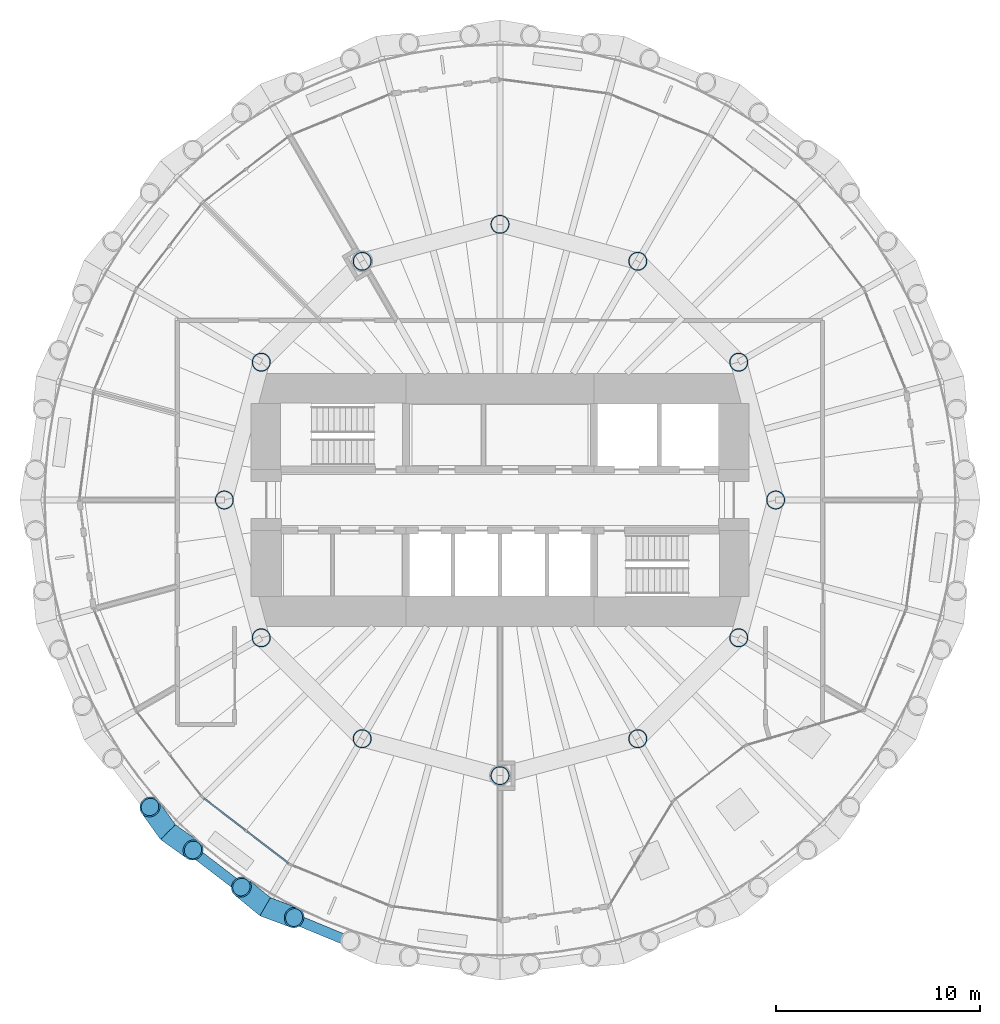
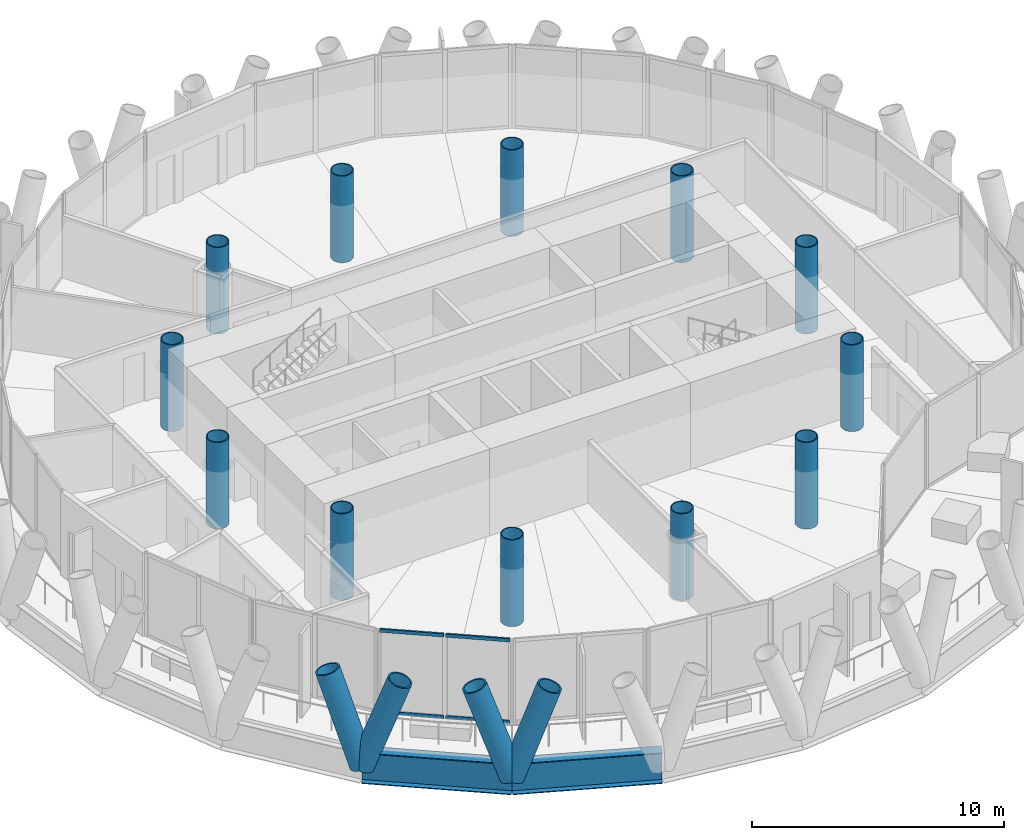
# One storey, part 1 of 14: 12 columns, 8 members, 2 beams, 1 element without a shape of its own.
"""IFC4 building model written with IfcOpenShell, lengths in metres."""

from ifc_helpers import new_model, si_unit, direction, frame, origin, origin_2d, place, context, subcontext, project, spatial, rectangle, hollow_circle, i_section, extrude, material, material_profile, profile_set, type_object, element, aggregate, save


model = new_model("IFC4")

# Units and contexts
model_context = context("Model", 3, precision=1e-05, world=origin(), true_north=direction((0.0, 1.0)))
body_context = subcontext(model_context, "Body", "Model", "MODEL_VIEW")
ifc_project = project(units=[si_unit("LENGTHUNIT", "METRE"), si_unit("AREAUNIT", "SQUARE_METRE"), si_unit("VOLUMEUNIT", "CUBIC_METRE"), si_unit("PLANEANGLEUNIT", "RADIAN"), si_unit("MASSUNIT", "GRAM", prefix="KILO")], contexts=[model_context])

# Site, building, storey
site_placement = place(None, origin())
site = spatial("IfcSite", under=ifc_project, at=site_placement, CompositionType="ELEMENT")
building_placement = place(site_placement, origin())
building = spatial("IfcBuilding", under=site, at=building_placement, Name="Qaws Media Tower", CompositionType="ELEMENT")
storey_placement = place(building_placement, frame((0.0, 0.0, 210.800048828125)))
storey = spatial("IfcBuildingStorey", under=building, at=storey_placement, Name="L48", CompositionType="ELEMENT", Elevation=210.800048828125)

# Columns
ifc_material_1 = material(Name="Steel S460", Category="steel")
ifc_material_profile_1 = material_profile(ifc_material_1, hollow_circle(Radius=0.45703125, WallThickness=0.044921875, at=origin_2d()), Name="CHS 914x45")
ifc_profile_set_1 = profile_set([ifc_material_profile_1], Name="Steel S460")
column_type = type_object("IfcColumnType", Name="Inner column CHS 914x45", PredefinedType="COLUMN", material=ifc_profile_set_1)
for number, where, z_axis, x_axis, name in (
    (1, (73.5, 50.0, 0.0), (0.0, 0.0, 1.0), (1.0, 0.0, 0.0), "C3 inner column I01 L48"),
    (2, (71.69140625, 56.75, 0.0), (0.0, 0.0, 1.0), (1.0, 0.0, 0.0), "C3 inner column I02 L48"),
    (3, (66.75, 61.69140625, 0.0), (0.0, 0.0, 1.0), (1.0, 0.0, 0.0), "C3 inner column I03 L48"),
    (4, (60.0, 63.5, 0.0), (0.0, 0.0, 1.0), (1.0, 0.0, 0.0), "C3 inner column I04 L48"),
    (5, (53.25, 61.69140625, 0.0), (0.0, 0.0, 1.0), (1.0, 0.0, 0.0), "C3 inner column I05 L48"),
    (6, (48.30859375, 56.75, 0.0), (0.0, 0.0, 1.0), (1.0, 0.0, 0.0), "C3 inner column I06 L48"),
    (7, (46.5, 50.0, 0.0), (0.0, 0.0, 1.0), (1.0, 0.0, 0.0), "C3 inner column I07 L48"),
    (8, (48.30859375, 43.25, 0.0), (0.0, 0.0, 1.0), (1.0, 0.0, 0.0), "C3 inner column I08 L48"),
    (9, (53.25, 38.30859375, 0.0), (0.0, 0.0, 1.0), (1.0, 0.0, 0.0), "C3 inner column I09 L48"),
    (10, (60.0, 36.5, 0.0), (0.0, 0.0, 1.0), (1.0, 0.0, 0.0), "C3 inner column I10 L48"),
    (11, (66.75, 38.30859375, 0.0), (0.0, 0.0, 1.0), (1.0, 0.0, 0.0), "C3 inner column I11 L48"),
    (12, (71.69140625, 43.25, 0.0), (0.0, 0.0, 1.0), (1.0, 0.0, 0.0), "C3 inner column I12 L48"),
):
    element("IfcColumn", number, at=place(storey_placement, frame(where, z_axis=z_axis, x_axis=x_axis)), inside=storey, type_object=column_type, Name=name, PredefinedType="COLUMN", context=body_context, shape_type="SweptSolid", body=[
        extrude(hollow_circle(Radius=0.45703125, WallThickness=0.044921875, at=origin_2d()), origin(), (0.0, 0.0, 1.0), 4.199951171875),
    ])

# Curtain wall, members
ifc_material_2 = material(Name="Aluminium and clear glass", Category="aluminium")
curtain_wall_type = type_object("IfcCurtainWallType", Name="Unitised curtain wall CW-C", PredefinedType="NOTDEFINED", material=ifc_material_2)
curtain_wall_placement = place(storey_placement, origin())
curtain_wall = element("IfcCurtainWall", 13, at=curtain_wall_placement, inside=storey, type_object=curtain_wall_type, Name="CWC curtain wall L48-16", PredefinedType="NOTDEFINED")
ifc_material_3 = material(Name="Aluminium transom", Category="aluminium")
ifc_material_profile_2 = material_profile(ifc_material_3, rectangle(XDim=0.080078125, YDim=0.159912109375, at=origin_2d()), Name="80x160")
ifc_profile_set_2 = profile_set([ifc_material_profile_2], Name="Aluminium transom")
member_type_1 = type_object("IfcMemberType", Name="Curtain wall transom 80x160", PredefinedType="USERDEFINED", material=ifc_profile_set_2)
member_1_placement = place(storey_placement, frame((45.4970703125, 35.385009765625, 0.0400390625), z_axis=(0.793337078322, -0.608782621434, 0.0), x_axis=(0.608782621434, 0.793337078322, 0.0)))
member_1 = element("IfcMember", 14, at=member_1_placement, type_object=member_type_1, Name="CWC transom 1.1", ObjectType="TRANSOM", PredefinedType="USERDEFINED", context=body_context, shape_type="SweptSolid", body=[
    extrude(rectangle(XDim=0.080078125, YDim=0.159912109375, at=origin_2d()), origin(), (0.0, 0.0, 1.0), 2.569091796875),
])
member_2_placement = place(storey_placement, frame((45.4970703125, 35.385009765625, 4.0), z_axis=(0.793337078322, -0.608782621434, 0.0), x_axis=(0.608782621434, 0.793337078322, 0.0)))
member_2 = element("IfcMember", 15, at=member_2_placement, type_object=member_type_1, Name="CWC transom 1.2", ObjectType="TRANSOM", PredefinedType="USERDEFINED", context=body_context, shape_type="SweptSolid", body=[
    extrude(rectangle(XDim=0.080078125, YDim=0.159912109375, at=origin_2d()), origin(), (0.0, 0.0, 1.0), 2.569091796875),
])
member_3_placement = place(storey_placement, frame((47.5986328125, 33.7724609375, 0.0400390625), z_axis=(0.793301853491, -0.608828522039, 0.0), x_axis=(0.608828522039, 0.793301853491, 0.0)))
member_3 = element("IfcMember", 16, at=member_3_placement, type_object=member_type_1, Name="CWC transom 2.1", ObjectType="TRANSOM", PredefinedType="USERDEFINED", context=body_context, shape_type="SweptSolid", body=[
    extrude(rectangle(XDim=0.080078125, YDim=0.159912109375, at=origin_2d()), origin(), (0.0, 0.0, 1.0), 2.56884765625),
])
member_4_placement = place(storey_placement, frame((47.5986328125, 33.7724609375, 4.0), z_axis=(0.793301853491, -0.608828522039, 0.0), x_axis=(0.608828522039, 0.793301853491, 0.0)))
member_4 = element("IfcMember", 17, at=member_4_placement, type_object=member_type_1, Name="CWC transom 2.2", ObjectType="TRANSOM", PredefinedType="USERDEFINED", context=body_context, shape_type="SweptSolid", body=[
    extrude(rectangle(XDim=0.080078125, YDim=0.159912109375, at=origin_2d()), origin(), (0.0, 0.0, 1.0), 2.56884765625),
])
aggregate(curtain_wall, [member_1, member_2, member_3, member_4])

# Members
ifc_material_4 = material(Name="Steel S460", Category="steel")
ifc_material_profile_3 = material_profile(ifc_material_4, hollow_circle(Radius=0.508056640625, WallThickness=0.070068359375, at=origin_2d()), Name="CHS 1016x70")
ifc_profile_set_3 = profile_set([ifc_material_profile_3], Name="Steel S460")
member_type_2 = type_object("IfcMemberType", Name="Diagrid member CHS 1016x70", PredefinedType="USERDEFINED", material=ifc_profile_set_3)
for number, where, z_axis, x_axis, name in (
    (18, (43.736572265625, 33.736572265625, -0.91015625), (0.275591992766, -0.196781105372, 0.940917770101), (0.581100686573, 0.813831673053, 0.0), "DG3 diagrid L48 A16"),
    (19, (43.736572265625, 33.736572265625, -0.91015625), (-0.196781105372, 0.275591992766, 0.940917770101), (-0.813831673053, -0.581100686573, 0.0), "DG3 diagrid L48 B16"),
    (20, (48.5, 30.081298828125, -0.91015625), (0.317155620088, -0.118735101088, 0.940911413692), (0.350610137877, 0.936521506009, 0.0), "DG3 diagrid L48 A17"),
):
    element("IfcMember", number, at=place(storey_placement, frame(where, z_axis=z_axis, x_axis=x_axis)), inside=storey, type_object=member_type_2, Name=name, ObjectType="DIAGRID", PredefinedType="USERDEFINED", context=body_context, shape_type="SweptSolid", body=[
        extrude(hollow_circle(Radius=0.508056640625, WallThickness=0.070068359375, at=origin_2d()), origin(), (0.0, 0.0, 1.0), 4.4638671875),
    ])
member_5_placement = place(storey_placement, frame((48.5, 30.081298828125, -0.91015625), z_axis=(-0.26142241975, 0.215318005555, 0.940901947567), x_axis=(-0.635758193506, -0.771888281677, 0.0)))
element("IfcMember", 21, at=member_5_placement, inside=storey, type_object=member_type_2, Name="DG3 diagrid L48 B17", ObjectType="DIAGRID", PredefinedType="USERDEFINED", context=body_context, shape_type="SweptSolid", body=[
    extrude(hollow_circle(Radius=0.508056640625, WallThickness=0.070068359375, at=origin_2d()), origin(), (0.0, 0.0, 1.0), 4.464111328125),
])

# Beams
ifc_material_5 = material(Name="Steel S460", Category="steel")
ifc_material_profile_4 = material_profile(ifc_material_5, i_section(OverallWidth=0.5, OverallDepth=1.5, WebThickness=0.02001953125, FlangeThickness=0.0400390625, at=origin_2d()), Name="PG 1500x500")
ifc_profile_set_4 = profile_set([ifc_material_profile_4], Name="Steel S460")
beam_type = type_object("IfcBeamType", Name="Edge ring beam PG 1500x500", PredefinedType="BEAM", material=ifc_profile_set_4)
for number, where, z_axis, x_axis, name in (
    (22, (43.736572265625, 33.736572265625, -0.91015625), (0.793339924758, -0.608778912074, 0.0), (0.608778912074, 0.793339924758, 0.0), "RB4 edge ring beam L48-16"),
    (23, (48.5, 30.081298828125, -0.91015625), (0.923884511653, -0.382671411433, 0.0), (0.382671411433, 0.923884511653, 0.0), "RB4 edge ring beam L48-17"),
):
    element("IfcBeam", number, at=place(storey_placement, frame(where, z_axis=z_axis, x_axis=x_axis)), inside=storey, type_object=beam_type, Name=name, PredefinedType="BEAM", context=body_context, shape_type="SweptSolid", body=[
        extrude(i_section(OverallWidth=0.5, OverallDepth=1.5, WebThickness=0.02001953125, FlangeThickness=0.0400390625, at=origin_2d()), origin(), (0.0, 0.0, 1.0), 6.004150390625),
    ])

save(model, "model.ifc")
